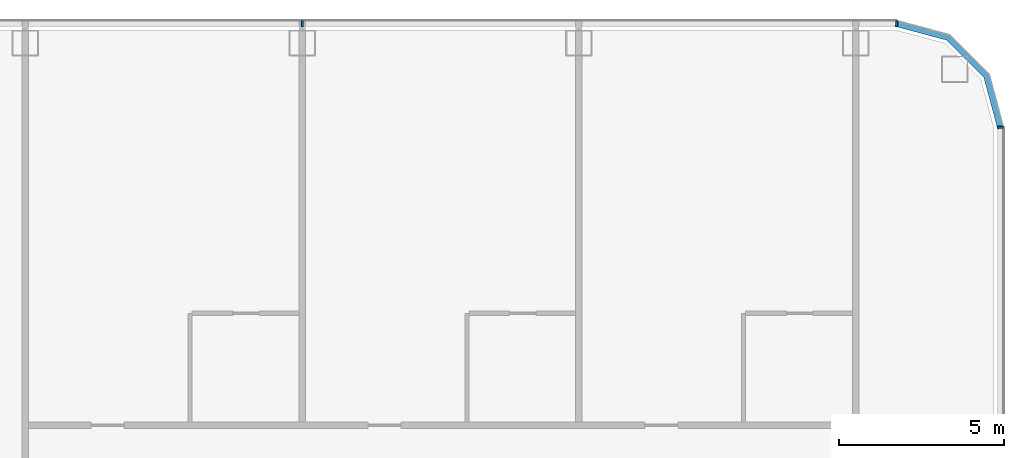
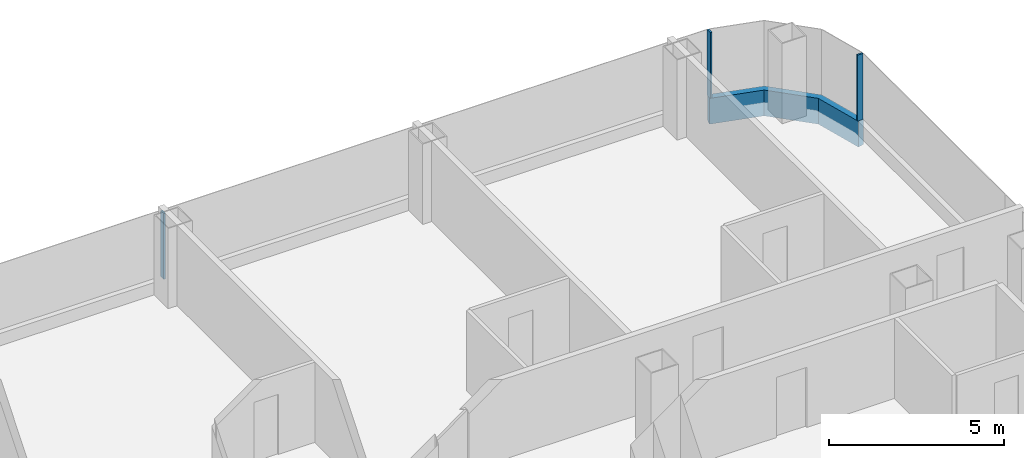
# One storey, part 13 of 29: 4 members, 3 elements without a shape of their own.
"""IFC4 building model written with IfcOpenShell, lengths in metres."""

from ifc_helpers import new_model, si_unit, direction, frame, origin, origin_2d, place, context, subcontext, project, spatial, polyline, rectangle, outline, extrude, material, layer, layer_set, material_profile, profile_set, type_object, element, aggregate, save


model = new_model("IFC4")

# Units and contexts
model_context = context("Model", 3, precision=1e-05, world=origin(), true_north=direction((0.0, 1.0)))
body_context = subcontext(model_context, "Body", "Model", "MODEL_VIEW")
ifc_project = project(units=[si_unit("LENGTHUNIT", "METRE"), si_unit("AREAUNIT", "SQUARE_METRE"), si_unit("VOLUMEUNIT", "CUBIC_METRE"), si_unit("PLANEANGLEUNIT", "RADIAN"), si_unit("MASSUNIT", "GRAM", prefix="KILO")], contexts=[model_context])

# Site, building, storey
site_placement = place(None, origin())
site = spatial("IfcSite", under=ifc_project, at=site_placement, CompositionType="ELEMENT")
building_placement = place(site_placement, origin())
building = spatial("IfcBuilding", under=site, at=building_placement, Name="Hakoniwa Tower and Hamabe Station Hall", CompositionType="ELEMENT")
storey_placement = place(building_placement, frame((0.0, 0.0, 91.39990234375)))
storey = spatial("IfcBuildingStorey", under=building, at=storey_placement, Name="L25", CompositionType="ELEMENT", Elevation=91.39990234375)

# Curtain wall, member
ifc_material_1 = material(Name="Dark low-e laminated glass", Category="glass")
ifc_layer = layer(ifc_material_1, 0.199951171875)
ifc_layer_set = layer_set([ifc_layer], Name="CW-1 UNITISED GUEST")
curtain_wall_type = type_object("IfcCurtainWallType", Name="CW-1 UNITISED GUEST", PredefinedType="NOTDEFINED", material=ifc_layer_set)
curtain_wall_1_placement = place(storey_placement, origin())
curtain_wall_1 = element("IfcCurtainWall", 1, at=curtain_wall_1_placement, inside=storey, type_object=curtain_wall_type, Name="CW-1 curtain wall", PredefinedType="NOTDEFINED")
ifc_material_2 = material(Name="Aluminium 6063-T5 black anodised", Category="aluminium")
ifc_material_profile_1 = material_profile(ifc_material_2, rectangle(XDim=0.199951171875, YDim=0.89990234375, at=origin_2d()), Name="CW SLAB-EDGE BAND 900X200")
ifc_profile_set_1 = profile_set([ifc_material_profile_1], Name="Aluminium 6063-T5 black anodised")
member_type_1 = type_object("IfcMemberType", Name="CW SLAB-EDGE BAND 900X200", PredefinedType="USERDEFINED", material=ifc_profile_set_1)
member_1_placement = place(storey_placement, frame((0.0, 0.0, -0.5498046875)))
member_1 = element("IfcMember", 2, at=member_1_placement, type_object=member_type_1, Name="CW-1 transom", ObjectType="TRANSOM", PredefinedType="USERDEFINED", context=body_context, shape_type="SweptSolid", body=[
    extrude(outline(polyline([(46.5, 20.28955078125), (46.067138671875, 21.9052734375), (44.855224609375, 23.116943359375), (43.239501953125, 23.550048828125), (43.187744140625, 23.35693359375), (44.751708984375, 22.937744140625), (45.8876953125, 21.8017578125), (46.306884765625, 20.23779296875), (46.5, 20.28955078125)])), origin(), (0.0, 0.0, 1.0), 0.89990234375),
])
aggregate(curtain_wall_1, [member_1])

curtain_wall_2_placement = place(storey_placement, origin())
curtain_wall_2 = element("IfcCurtainWall", 3, at=curtain_wall_2_placement, inside=storey, type_object=curtain_wall_type, Name="CW-1 curtain wall", PredefinedType="NOTDEFINED")
ifc_material_3 = material(Name="Aluminium 6063-T5 black anodised", Category="aluminium")
ifc_material_profile_2 = material_profile(ifc_material_3, rectangle(XDim=0.06005859375, YDim=0.179931640625, at=origin_2d()), Name="CW-1 MULLION 60X180")
ifc_profile_set_2 = profile_set([ifc_material_profile_2], Name="Aluminium 6063-T5 black anodised")
member_type_2 = type_object("IfcMemberType", Name="CW-1 MULLION 60X180", PredefinedType="MULLION", material=ifc_profile_set_2)
member_2_placement = place(storey_placement, frame((46.382080078125, 20.28955078125, 0.35009765625), z_axis=(0.0, 0.0, 1.0), x_axis=(0.0, 1.0, 0.0)))
member_2 = element("IfcMember", 4, at=member_2_placement, type_object=member_type_2, Name="CW-1 mullion", PredefinedType="MULLION", context=body_context, shape_type="SweptSolid", body=[
    extrude(rectangle(XDim=0.06005859375, YDim=0.179931640625, at=origin_2d()), origin(), (0.0, 0.0, 1.0), 2.300048828125),
])
aggregate(curtain_wall_2, [member_2])

# Curtain wall, members
curtain_wall_3_placement = place(storey_placement, origin())
curtain_wall_3 = element("IfcCurtainWall", 5, at=curtain_wall_3_placement, inside=storey, type_object=curtain_wall_type, Name="CW-1 curtain wall", PredefinedType="NOTDEFINED")
member_3_placement = place(storey_placement, frame((43.239501953125, 23.431884765625, 0.35009765625), z_axis=(0.0, 0.0, 1.0), x_axis=(-1.0, 0.0, 0.0)))
member_3 = element("IfcMember", 6, at=member_3_placement, type_object=member_type_2, Name="CW-1 mullion", PredefinedType="MULLION", context=body_context, shape_type="SweptSolid", body=[
    extrude(rectangle(XDim=0.06005859375, YDim=0.179931640625, at=origin_2d()), origin(), (0.0, 0.0, 1.0), 2.300048828125),
])
member_4_placement = place(storey_placement, frame((25.199951171875, 23.431884765625, 0.35009765625), z_axis=(0.0, 0.0, 1.0), x_axis=(-1.0, 0.0, 0.0)))
member_4 = element("IfcMember", 7, at=member_4_placement, type_object=member_type_2, Name="CW-1 mullion", PredefinedType="MULLION", context=body_context, shape_type="SweptSolid", body=[
    extrude(rectangle(XDim=0.06005859375, YDim=0.179931640625, at=origin_2d()), origin(), (0.0, 0.0, 1.0), 2.300048828125),
])
aggregate(curtain_wall_3, [member_3, member_4])

save(model, "model.ifc")
